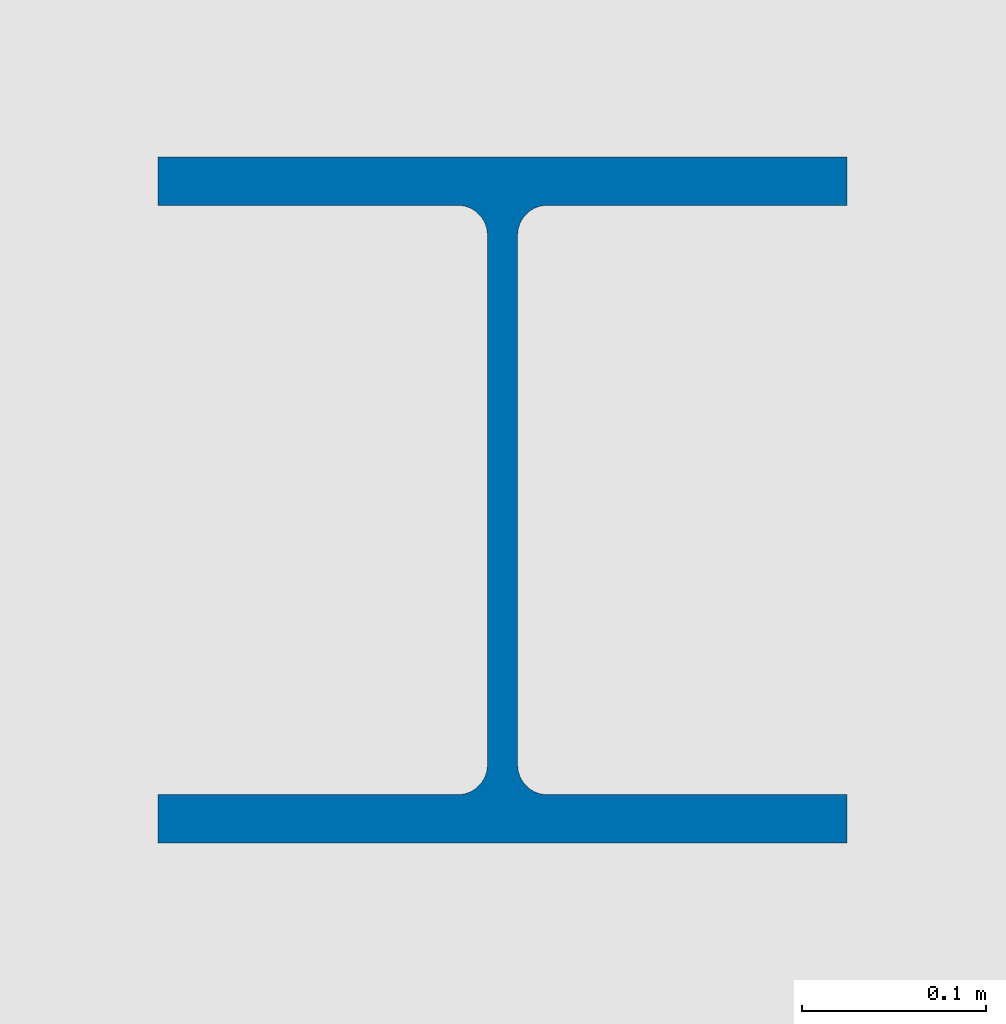
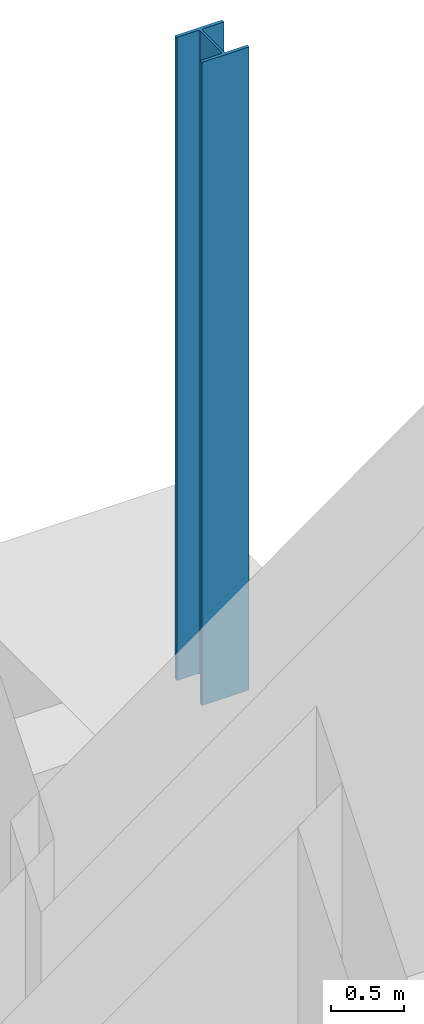
# One storey, part 36 of 58: 1 column.
"""IFC4 building model written with IfcOpenShell, lengths in metres."""

import ifcopenshell
import ifcopenshell.guid

model = None  # the IFC model being written
_history = None  # IfcOwnerHistory: only IFC2X3 demands one
_inside = {}  # id of a spatial element -> (the spatial element, [elements in it])
_under = {}  # id of a project, library or spatial element -> (it, [spatial elements below it])
_declared = {}  # id of a project -> (the project, [libraries it declares])
_typed = {}  # id of a type object -> (the type object, [elements of that type])
_made_of = {}  # id of a material, layer set ... -> (it, [elements and type objects made of it])


def new_model(schema):
    """Start an empty IFC model of exactly this schema.

    Asked for "IFC4X3", IfcOpenShell would pick the latest addendum, in which some entities
    have other attributes; the version numbers below select the first issue.
    IFC2X3 requires an IfcOwnerHistory on every rooted entity: one is made here for all.
    """
    global model, _history
    if schema == "IFC4X3":
        model = ifcopenshell.file(schema_version=(4, 3, 0, 0))
    else:
        model = ifcopenshell.file(schema=schema)
    _inside.clear()
    _under.clear()
    _declared.clear()
    _typed.clear()
    _made_of.clear()
    _history = None
    if model.schema == "IFC2X3":
        org = make("IfcOrganization", Name="unknown")
        user = make(
            "IfcPersonAndOrganization",
            ThePerson=make("IfcPerson", FamilyName="unknown"),
            TheOrganization=org,
        )
        app = make(
            "IfcApplication",
            ApplicationDeveloper=org,
            Version="unknown",
            ApplicationFullName="unknown",
            ApplicationIdentifier="unknown",
        )
        _history = make(
            "IfcOwnerHistory",
            OwningUser=user,
            OwningApplication=app,
            ChangeAction="ADDED",
            CreationDate=0,
        )
    return model


def make(cls, **values):
    """One entity of the class cls with the attributes given. An attribute that is None is left unset."""
    return model.create_entity(
        cls, **{name: value for name, value in values.items() if value is not None}
    )


def rooted(cls, **values):
    """An entity with a GlobalId (a new one), such as an element, a storey or a relation."""
    return make(cls, GlobalId=ifcopenshell.guid.new(), OwnerHistory=_history, **values)


def si_unit(unit_type, name, prefix=None):
    """IfcSIUnit, for example si_unit("LENGTHUNIT", "METRE", prefix="MILLI")."""
    return make("IfcSIUnit", UnitType=unit_type, Prefix=prefix, Name=name)


def assignment(units):
    """IfcUnitAssignment: the units of a project."""
    return None if units is None else make("IfcUnitAssignment", Units=units)


def point(xyz):
    """IfcCartesianPoint."""
    return None if xyz is None else make("IfcCartesianPoint", Coordinates=xyz)


def direction(xyz):
    """IfcDirection."""
    return None if xyz is None else make("IfcDirection", DirectionRatios=xyz)


def frame(location, z_axis=None, x_axis=None):
    """IfcAxis2Placement3D, a coordinate frame: its origin and axes. An axis left out is left unset."""
    return make(
        "IfcAxis2Placement3D",
        Location=point(location),
        Axis=direction(z_axis),
        RefDirection=direction(x_axis),
    )


def frame_2d(location, x_axis=None):
    """IfcAxis2Placement2D, a coordinate frame in the plane: its origin and x axis."""
    return make(
        "IfcAxis2Placement2D", Location=point(location), RefDirection=direction(x_axis)
    )


def origin():
    """The frame at (0, 0, 0) with its axes left unset."""
    return frame((0.0, 0.0, 0.0))


def origin_2d():
    """The frame at (0, 0) in the plane with its x axis left unset."""
    return frame_2d((0.0, 0.0))


def place(relative_to, where):
    """IfcLocalPlacement: puts the frame where relative to a parent placement (None: the world)."""
    return make(
        "IfcLocalPlacement", PlacementRelTo=relative_to, RelativePlacement=where
    )


def context(
    kind, dimensions, precision=None, world=None, true_north=None, identifier=None
):
    """IfcGeometricRepresentationContext, for example the 3D "Model" context."""
    return make(
        "IfcGeometricRepresentationContext",
        ContextIdentifier=identifier,
        ContextType=kind,
        CoordinateSpaceDimension=dimensions,
        Precision=precision,
        WorldCoordinateSystem=world,
        TrueNorth=true_north,
    )


def subcontext(parent, identifier, kind, view, scale=None):
    """IfcGeometricRepresentationSubContext, for example "Body" below "Model"."""
    return make(
        "IfcGeometricRepresentationSubContext",
        ContextIdentifier=identifier,
        ContextType=kind,
        ParentContext=parent,
        TargetScale=scale,
        TargetView=view,
    )


def project(units=None, contexts=None):
    """IfcProject with its units and contexts."""
    return rooted(
        "IfcProject",
        Name="project",
        RepresentationContexts=contexts,
        UnitsInContext=assignment(units),
    )


def spatial(cls, under=None, at=None, **own):
    """A site, building, storey or space (cls), placed at a placement, below another one or the project."""
    s = rooted(cls, ObjectPlacement=at, **own)
    if under is not None:
        _under.setdefault(under.id(), (under, []))[1].append(s)
    return s


def profile(cls, at=None, kind="AREA", **sizes):
    """A parametric profile (cls). Its sizes go by their IFC names, for example OverallWidth=200.0."""
    return make(cls, ProfileType=kind, Position=at, **sizes)


def i_section(**sizes):
    """IfcIShapeProfileDef."""
    return profile("IfcIShapeProfileDef", **sizes)


def extrude(swept, where, along, depth):
    """IfcExtrudedAreaSolid: the profile swept, set in the frame where, extruded along a direction by depth."""
    return make(
        "IfcExtrudedAreaSolid",
        SweptArea=swept,
        Position=where,
        ExtrudedDirection=direction(along),
        Depth=depth,
    )


def shape(context_of_items, identifier, shape_type, items):
    """IfcShapeRepresentation: the items that make up one representation, for example the "Body"."""
    return make(
        "IfcShapeRepresentation",
        ContextOfItems=context_of_items,
        RepresentationIdentifier=identifier,
        RepresentationType=shape_type,
        Items=items,
    )


def material(Name=None, Category=None):
    """IfcMaterial."""
    return make("IfcMaterial", Name=Name, Category=Category)


def material_profile(
    of_material, cross_section, Name=None, Category=None, Priority=None
):
    """IfcMaterialProfile: a cross section and its material."""
    return make(
        "IfcMaterialProfile",
        Name=Name,
        Material=of_material,
        Profile=cross_section,
        Priority=Priority,
        Category=Category,
    )


def profile_set(profiles, Name=None, composite=None):
    """IfcMaterialProfileSet."""
    return make(
        "IfcMaterialProfileSet",
        Name=Name,
        MaterialProfiles=profiles,
        CompositeProfile=composite,
    )


def made_of(thing, what):
    """Note that an element or type object is made of a material, layer set ...; save() writes the relation."""
    if what is not None:
        _made_of.setdefault(what.id(), (what, []))[1].append(thing)
    return thing


def type_object(cls, material=None, **own):
    """A type object (cls), such as IfcWallType, which elements share."""
    return made_of(rooted(cls, **own), material)


def element(
    cls,
    number,
    at=None,
    inside=None,
    cuts=None,
    type_object=None,
    material=None,
    context=None,
    identifier="Body",
    shape_type=None,
    held_by="IfcProductDefinitionShape",
    body=None,
    shapes=None,
    **own,
):
    """One element of the class cls, such as IfcWall. Its Tag is "e" and its number.

    at: its placement. inside: the storey or other place that contains it. cuts: it is an
    opening in that element (IfcRelVoidsElement). A single representation is given by context,
    identifier, shape_type and body (its items); several are given by shapes. held_by: the class
    of the entity that holds the representations. save() writes the other relations.
    """
    e = rooted(cls, Tag="e%d" % number, ObjectPlacement=at, **own)
    if body is not None:
        shapes = [shape(context, identifier, shape_type, body)]
    if shapes is not None:
        e.Representation = make(held_by, Representations=shapes)
    if inside is not None:
        _inside.setdefault(inside.id(), (inside, []))[1].append(e)
    if cuts is not None:
        rooted(
            "IfcRelVoidsElement", RelatingBuildingElement=cuts, RelatedOpeningElement=e
        )
    if type_object is not None:
        _typed.setdefault(type_object.id(), (type_object, []))[1].append(e)
    return made_of(e, material)


def aggregate(whole, parts):
    """IfcRelAggregates: a whole, such as a stair, and the parts it consists of."""
    return rooted("IfcRelAggregates", RelatingObject=whole, RelatedObjects=parts)


def save(model, path):
    """Write the relations noted so far, then the file.

    IfcRelAggregates (storeys below a building ...), IfcRelContainedInSpatialStructure (elements
    in a storey), IfcRelDefinesByType, IfcRelAssociatesMaterial and IfcRelDeclares: one each for
    every whole, place, type object, material and project.
    """
    for whole, parts in _under.values():
        aggregate(whole, parts)
    for where, things in _inside.values():
        rooted(
            "IfcRelContainedInSpatialStructure",
            RelatedElements=things,
            RelatingStructure=where,
        )
    for kind, things in _typed.values():
        rooted("IfcRelDefinesByType", RelatedObjects=things, RelatingType=kind)
    for what, things in _made_of.values():
        rooted("IfcRelAssociatesMaterial", RelatedObjects=things, RelatingMaterial=what)
    for by, libraries in _declared.values():
        rooted("IfcRelDeclares", RelatingContext=by, RelatedDefinitions=libraries)
    model.write(path)


model = new_model("IFC4")

# Units and contexts
model_context = context("Model", 3, precision=1e-05, world=origin(), true_north=direction((0.0, 1.0)))
body_context = subcontext(model_context, "Body", "Model", "MODEL_VIEW")
ifc_project = project(units=[si_unit("LENGTHUNIT", "METRE"), si_unit("AREAUNIT", "SQUARE_METRE"), si_unit("VOLUMEUNIT", "CUBIC_METRE"), si_unit("PLANEANGLEUNIT", "RADIAN"), si_unit("MASSUNIT", "GRAM", prefix="KILO")], contexts=[model_context])

# Site, building, storey
site_placement = place(None, origin())
site = spatial("IfcSite", under=ifc_project, at=site_placement, CompositionType="ELEMENT")
building_placement = place(site_placement, origin())
building = spatial("IfcBuilding", under=site, at=building_placement, Name="Qamarlyn Nura Convention Centre", CompositionType="ELEMENT")
storey_placement = place(building_placement, frame((0.0, 0.0, -5.39990234375)))
storey = spatial("IfcBuildingStorey", under=building, at=storey_placement, Name="B01", CompositionType="ELEMENT", Elevation=-5.39990234375)

# Column
ifc_material = material(Name="Steel ASTM A992", Category="steel")
ifc_material_profile = material_profile(ifc_material, i_section(OverallWidth=0.3740234375, OverallDepth=0.3720703125, WebThickness=0.016357421875, FlangeThickness=0.026123046875, FilletRadius=0.01611328125, at=origin_2d()), Name="W360X196")
ifc_profile_set = profile_set([ifc_material_profile], Name="Steel ASTM A992")
column_type = type_object("IfcColumnType", Name="COL-WING-2", PredefinedType="COLUMN", material=ifc_profile_set)
column_placement = place(storey_placement, frame((192.0, 126.0, 0.0), z_axis=(0.0, 0.0, 1.0), x_axis=(1.0, 0.0, 0.0)))
element("IfcColumn", 1, at=column_placement, inside=storey, type_object=column_type, Name="B01 column 18/Q", PredefinedType="COLUMN", context=body_context, shape_type="SweptSolid", body=[
    extrude(i_section(OverallWidth=0.3740234375, OverallDepth=0.3720703125, WebThickness=0.016357421875, FlangeThickness=0.026123046875, FilletRadius=0.01611328125, at=origin_2d()), origin(), (0.0, 0.0, 1.0), 5.39990234375),
])

save(model, "model.ifc")
